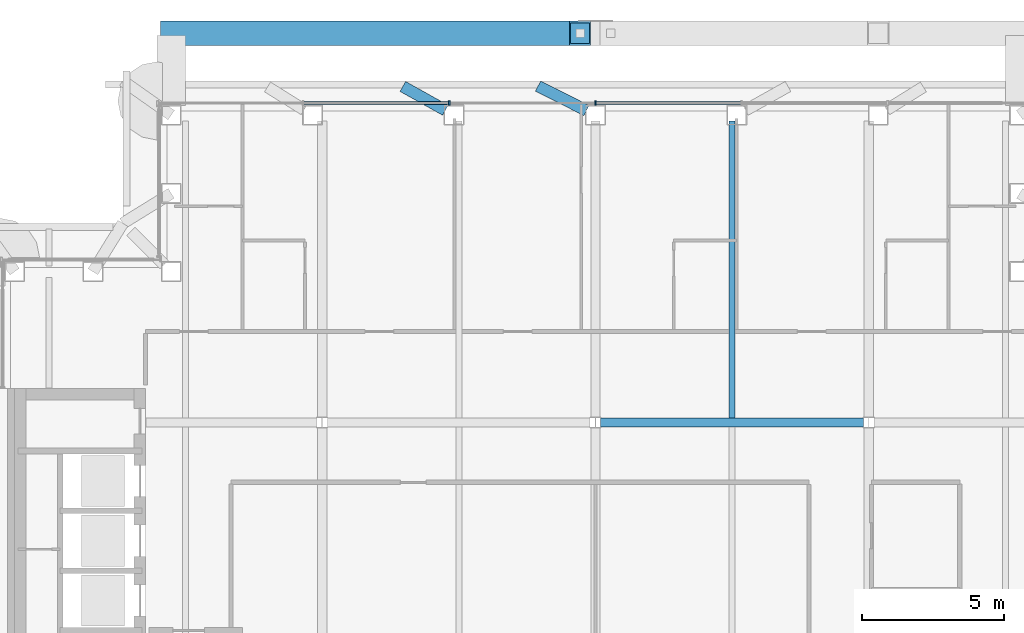
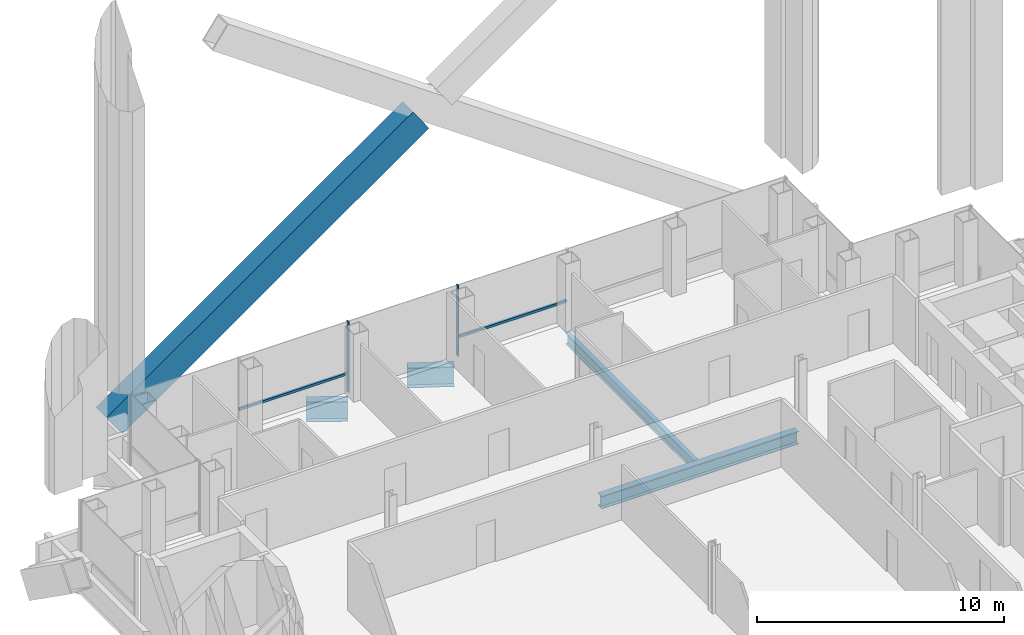
# One storey, part 9 of 22: 5 members, 4 beams, 1 element without a shape of its own.
"""IFC4 building model written with IfcOpenShell, lengths in metres."""

from ifc_helpers import new_model, si_unit, direction, frame, origin, origin_2d, place, context, subcontext, project, spatial, rectangle, hollow_rectangle, i_section, extrude, material, material_profile, profile_set, type_object, element, aggregate, save


model = new_model("IFC4")

# Units and contexts
model_context = context("Model", 3, precision=1e-05, world=origin(), true_north=direction((0.0, 1.0)))
body_context = subcontext(model_context, "Body", "Model", "MODEL_VIEW")
ifc_project = project(units=[si_unit("LENGTHUNIT", "METRE"), si_unit("AREAUNIT", "SQUARE_METRE"), si_unit("VOLUMEUNIT", "CUBIC_METRE"), si_unit("PLANEANGLEUNIT", "RADIAN"), si_unit("MASSUNIT", "GRAM", prefix="KILO")], contexts=[model_context])

# Site, building, storey
site_placement = place(None, origin())
site = spatial("IfcSite", under=ifc_project, at=site_placement, CompositionType="ELEMENT")
building_placement = place(site_placement, origin())
building = spatial("IfcBuilding", under=site, at=building_placement, Name="Cobrizo Arcos Hotel Tower", CompositionType="ELEMENT")
storey_placement = place(building_placement, frame((0.0, 0.0, 191.0)))
storey = spatial("IfcBuildingStorey", under=building, at=storey_placement, Name="L49", CompositionType="ELEMENT", Elevation=191.0)

# Member
ifc_material_1 = material(Name="Steel ASTM A572 Grade 50", Category="steel")
ifc_material_profile_1 = material_profile(ifc_material_1, hollow_rectangle(XDim=0.85009765625, YDim=1.300048828125, WallThickness=0.06005859375, at=origin_2d()), Name="BOX 850X1300X60")
ifc_profile_set_1 = profile_set([ifc_material_profile_1], Name="Steel ASTM A572 Grade 50")
member_type_1 = type_object("IfcMemberType", Name="BOX 850X1300X60 perimeter brace", PredefinedType="BRACE", material=ifc_profile_set_1)
member_1_placement = place(storey_placement, frame((-14.89990234375, 23.27490234375, 0.5), z_axis=(0.817421308529, 0.0, 0.576040280157), x_axis=(0.0, 1.0, 0.0)))
element("IfcMember", 1, at=member_1_placement, inside=storey, type_object=member_type_1, Name="Perimeter brace PBR4, zone Z4, north face, no. 01", PredefinedType="BRACE", context=body_context, shape_type="SweptSolid", body=[
    extrude(hollow_rectangle(XDim=0.85009765625, YDim=1.300048828125, WallThickness=0.06005859375, at=origin_2d()), origin(), (0.0, 0.0, 1.0), 17.567626953125),
])

# Curtain wall, members
ifc_material_2 = material(Name="Aluminium 6063-T6 anodised bronze", Category="aluminium")
curtain_wall_type = type_object("IfcCurtainWallType", Name="CW-A guest facade", PredefinedType="NOTDEFINED", material=ifc_material_2)
curtain_wall_placement = place(storey_placement, origin())
curtain_wall = element("IfcCurtainWall", 2, at=curtain_wall_placement, inside=storey, type_object=curtain_wall_type, Name="CW-A L49 N face", PredefinedType="NOTDEFINED")
ifc_material_profile_2 = material_profile(ifc_material_2, rectangle(XDim=0.14990234375, YDim=0.06005859375, at=origin_2d()), Name="CW-A mullion 150x60")
ifc_profile_set_2 = profile_set([ifc_material_profile_2], Name="Aluminium 6063-T6 anodised bronze")
member_type_2 = type_object("IfcMemberType", Name="CW-A mullion 150x60", PredefinedType="MULLION", material=ifc_profile_set_2)
member_2_placement = place(storey_placement, frame((0.0, 20.824951171875, 0.0), z_axis=(0.0, 0.0, 1.0), x_axis=(0.0, 1.0, 0.0)))
member_2 = element("IfcMember", 3, at=member_2_placement, type_object=member_type_2, Name="CW-A mullion 4", PredefinedType="MULLION", context=body_context, shape_type="SweptSolid", body=[
    extrude(rectangle(XDim=0.14990234375, YDim=0.06005859375, at=origin_2d()), origin(), (0.0, 0.0, 1.0), 3.5),
])
member_3_placement = place(storey_placement, frame((-5.13330078125, 20.824951171875, 0.0), z_axis=(0.0, 0.0, 1.0), x_axis=(0.0, 1.0, 0.0)))
member_3 = element("IfcMember", 4, at=member_3_placement, type_object=member_type_2, Name="CW-A mullion 5", PredefinedType="MULLION", context=body_context, shape_type="SweptSolid", body=[
    extrude(rectangle(XDim=0.14990234375, YDim=0.06005859375, at=origin_2d()), origin(), (0.0, 0.0, 1.0), 3.5),
])
ifc_material_profile_3 = material_profile(ifc_material_2, rectangle(XDim=0.10009765625, YDim=0.1201171875, at=origin_2d()), Name="CW-A transom 120x100")
ifc_profile_set_3 = profile_set([ifc_material_profile_3], Name="Aluminium 6063-T6 anodised bronze")
member_type_3 = type_object("IfcMemberType", Name="CW-A transom 120x100", PredefinedType="USERDEFINED", material=ifc_profile_set_3)
member_4_placement = place(storey_placement, frame((5.103271484375, 20.824951171875, 0.929931640625), z_axis=(-1.0, 0.0, 0.0), x_axis=(0.0, -1.0, 0.0)))
member_4 = element("IfcMember", 5, at=member_4_placement, type_object=member_type_3, Name="CW-A transom 1710", ObjectType="TRANSOM", PredefinedType="USERDEFINED", context=body_context, shape_type="SweptSolid", body=[
    extrude(rectangle(XDim=0.10009765625, YDim=0.1201171875, at=origin_2d()), origin(), (0.0, 0.0, 1.0), 5.0732421875),
])
member_5_placement = place(storey_placement, frame((-5.163330078125, 20.824951171875, 0.929931640625), z_axis=(-1.0, 0.0, 0.0), x_axis=(0.0, -1.0, 0.0)))
member_5 = element("IfcMember", 6, at=member_5_placement, type_object=member_type_3, Name="CW-A transom 1712", ObjectType="TRANSOM", PredefinedType="USERDEFINED", context=body_context, shape_type="SweptSolid", body=[
    extrude(rectangle(XDim=0.10009765625, YDim=0.1201171875, at=origin_2d()), origin(), (0.0, 0.0, 1.0), 5.0732421875),
])
aggregate(curtain_wall, [member_2, member_3, member_4, member_5])

# Beams
ifc_material_3 = material(Name="Steel ASTM A992 Grade 50", Category="steel")
ifc_material_profile_4 = material_profile(ifc_material_3, i_section(OverallWidth=0.209228515625, OverallDepth=0.533447265625, WebThickness=0.01025390625, FlangeThickness=0.015625, at=origin_2d()), Name="W21X62")
ifc_profile_set_4 = profile_set([ifc_material_profile_4], Name="Steel ASTM A992 Grade 50")
beam_type_1 = type_object("IfcBeamType", Name="W21X62 joist", PredefinedType="JOIST", material=ifc_profile_set_4)
beam_1_placement = place(storey_placement, frame((4.800048828125, 9.763916015625, -0.416748046875), z_axis=(0.0, 1.0, 0.0), x_axis=(-1.0, 0.0, 0.0)))
element("IfcBeam", 7, at=beam_1_placement, inside=storey, type_object=beam_type_1, Name="Floor joist J1, L49, no. 016", PredefinedType="JOIST", context=body_context, shape_type="SweptSolid", body=[
    extrude(i_section(OverallWidth=0.209228515625, OverallDepth=0.533447265625, WebThickness=0.01025390625, FlangeThickness=0.015625, at=origin_2d()), origin(), (0.0, 0.0, 1.0), 10.435546875),
])
ifc_material_profile_5 = material_profile(ifc_material_3, i_section(OverallWidth=0.32763671875, OverallDepth=0.622314453125, WebThickness=0.015380859375, FlangeThickness=0.0244140625, at=origin_2d()), Name="W24X131")
ifc_profile_set_5 = profile_set([ifc_material_profile_5], Name="Steel ASTM A992 Grade 50")
beam_type_2 = type_object("IfcBeamType", Name="W24X131 girder", PredefinedType="BEAM", material=ifc_profile_set_5)
beam_2_placement = place(storey_placement, frame((0.186767578125, 9.60009765625, -0.461181640625), z_axis=(1.0, 0.0, 0.0), x_axis=(0.0, 1.0, 0.0)))
element("IfcBeam", 8, at=beam_2_placement, inside=storey, type_object=beam_type_2, Name="Floor girder G1, L49, no. 011", PredefinedType="BEAM", context=body_context, shape_type="SweptSolid", body=[
    extrude(i_section(OverallWidth=0.32763671875, OverallDepth=0.622314453125, WebThickness=0.015380859375, FlangeThickness=0.0244140625, at=origin_2d()), origin(), (0.0, 0.0, 1.0), 9.2265625),
])
ifc_material_profile_6 = material_profile(ifc_material_3, i_section(OverallWidth=0.4013671875, OverallDepth=0.990478515625, WebThickness=0.0166015625, FlangeThickness=0.025390625, at=origin_2d()), Name="W40X215")
ifc_profile_set_6 = profile_set([ifc_material_profile_6], Name="Steel ASTM A992 Grade 50")
beam_type_3 = type_object("IfcBeamType", Name="W40X215 transfer girder", PredefinedType="BEAM", material=ifc_profile_set_6)
beam_3_placement = place(storey_placement, frame((-6.764892578125, 21.40478515625, -0.645263671875), z_axis=(0.872948847751, -0.487811755916, 0.0), x_axis=(0.487811755916, 0.872948847751, 0.0)))
element("IfcBeam", 9, at=beam_3_placement, inside=storey, type_object=beam_type_3, Name="Setback transfer girder TG1, L49, no. 005", PredefinedType="BEAM", context=body_context, shape_type="SweptSolid", body=[
    extrude(i_section(OverallWidth=0.4013671875, OverallDepth=0.990478515625, WebThickness=0.0166015625, FlangeThickness=0.025390625, at=origin_2d()), origin(), (0.0, 0.0, 1.0), 1.709716796875),
])
beam_4_placement = place(storey_placement, frame((-2.01416015625, 21.41943359375, -0.645263671875), z_axis=(0.892240719632, -0.451560071563, 0.0), x_axis=(0.451560071563, 0.892240719632, 0.0)))
element("IfcBeam", 10, at=beam_4_placement, inside=storey, type_object=beam_type_3, Name="Setback transfer girder TG1, L49, no. 007", PredefinedType="BEAM", context=body_context, shape_type="SweptSolid", body=[
    extrude(i_section(OverallWidth=0.4013671875, OverallDepth=0.990478515625, WebThickness=0.0166015625, FlangeThickness=0.025390625, at=origin_2d()), origin(), (0.0, 0.0, 1.0), 1.907470703125),
])

save(model, "model.ifc")
